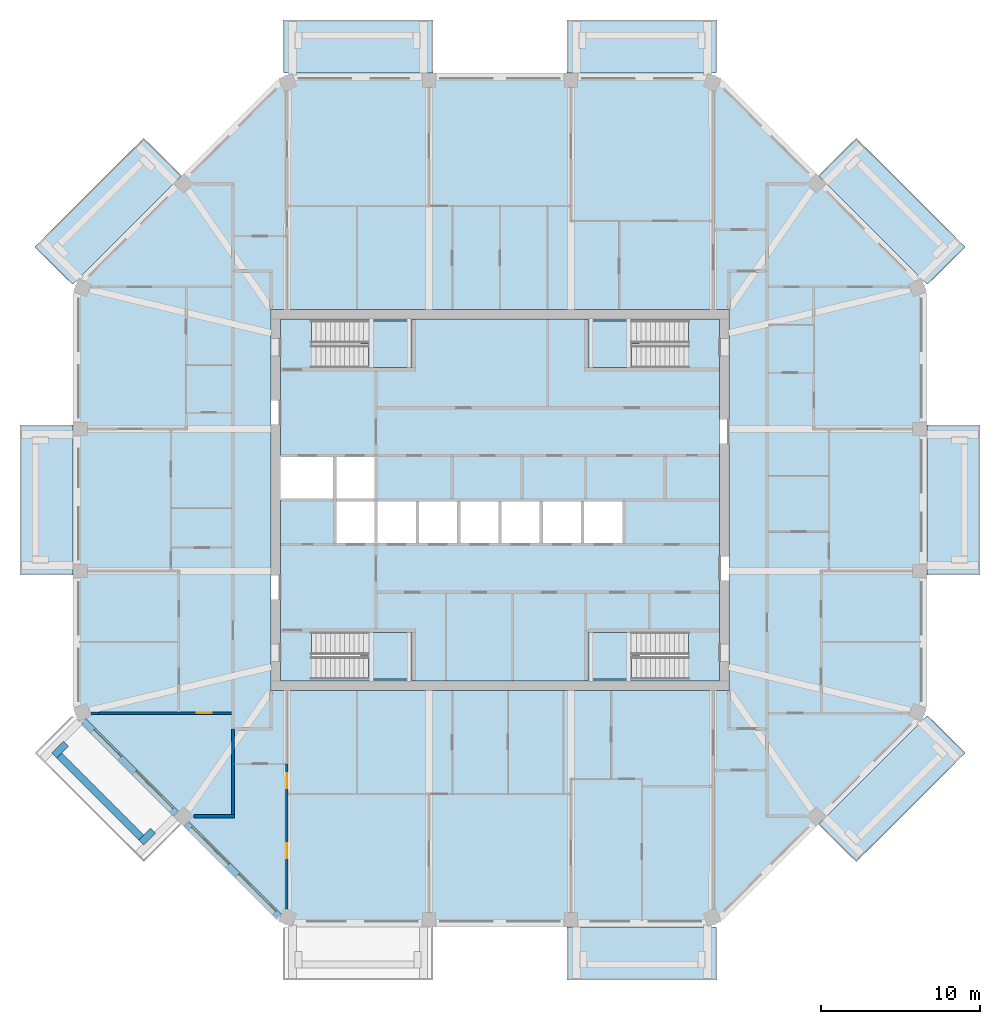
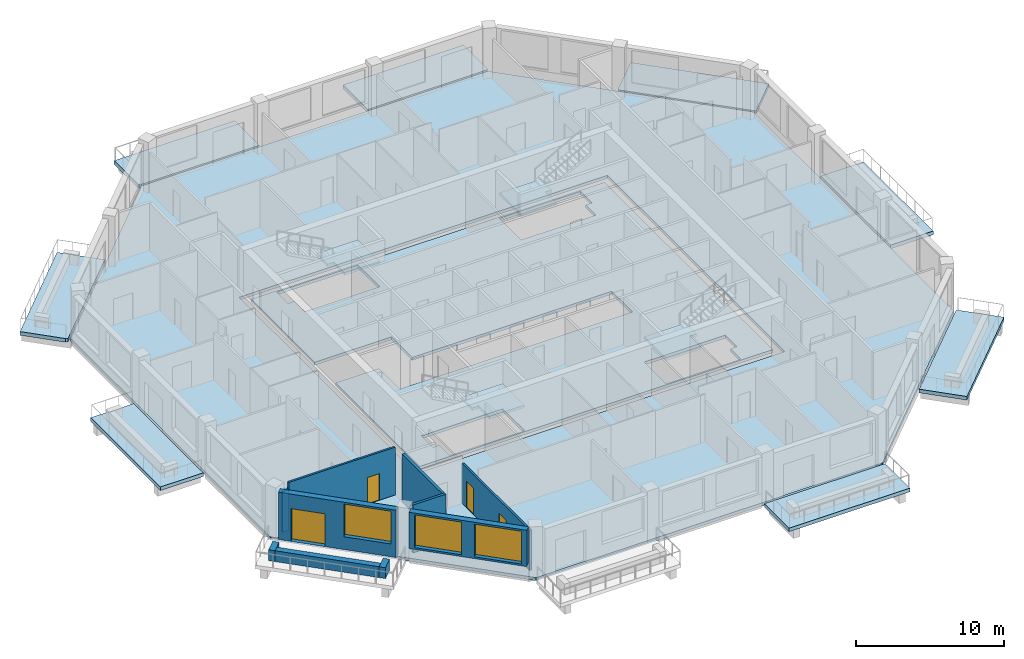
# One storey, part 2 of 12: 14 slabs, 10 walls, 4 doors, 3 windows, 7 openings, 4 elements without a shape of their own.
"""IFC4 building model written with IfcOpenShell, lengths in metres."""

from ifc_helpers import new_model, si_unit, direction, frame, frame_2d, origin, place, context, subcontext, project, spatial, polyline, rectangle, outline, extrude, material, layer, layer_set, type_object, element, fill, aggregate, save


model = new_model("IFC4")

# Units and contexts
model_context = context("Model", 3, precision=1e-05, world=origin(), true_north=direction((0.0, 1.0)))
body_context = subcontext(model_context, "Body", "Model", "MODEL_VIEW")
ifc_project = project(units=[si_unit("LENGTHUNIT", "METRE"), si_unit("AREAUNIT", "SQUARE_METRE"), si_unit("VOLUMEUNIT", "CUBIC_METRE"), si_unit("PLANEANGLEUNIT", "RADIAN"), si_unit("MASSUNIT", "GRAM", prefix="KILO")], contexts=[model_context])

# Site, building, storey
site_placement = place(None, origin())
site = spatial("IfcSite", under=ifc_project, at=site_placement, CompositionType="ELEMENT")
building_placement = place(site_placement, origin())
building = spatial("IfcBuilding", under=site, at=building_placement, Name="Msitu Wima Residences", CompositionType="ELEMENT")
storey_placement = place(building_placement, frame((0.0, 0.0, 222.300048828125)))
storey = spatial("IfcBuildingStorey", under=building, at=storey_placement, Name="L51", CompositionType="ELEMENT", Elevation=222.300048828125)

# Slabs
ifc_material_1 = material(Name="Concrete C40/50", Category="concrete")
ifc_layer_1 = layer(ifc_material_1, 0.300048828125)
ifc_layer_set_1 = layer_set([ifc_layer_1], Name="Concrete C40/50")
slab_type_1 = type_object("IfcSlabType", Name="Balcony slab BS300", PredefinedType="FLOOR", material=ifc_layer_set_1)
slab_1_placement = place(storey_placement, frame((0.0, 0.0, -0.300048828125)))
element("IfcSlab", 1, at=slab_1_placement, inside=storey, type_object=slab_type_1, Name="Balcony E1 L51", PredefinedType="FLOOR", context=body_context, shape_type="SweptSolid", body=[
    extrude(outline(polyline([(26.85009765625, -4.0185546875), (26.85009765625, 4.0185546875), (26.85009765625, 4.71875), (30.199951171875, 4.71875), (30.199951171875, -4.71875), (26.85009765625, -4.71875), (26.85009765625, -4.0185546875)])), origin(), (0.0, 0.0, 1.0), 0.300048828125),
])
slab_2_placement = place(storey_placement, frame((0.0, 0.0, -0.300048828125)))
element("IfcSlab", 2, at=slab_2_placement, inside=storey, type_object=slab_type_1, Name="Balcony NE0 L51", PredefinedType="FLOOR", context=body_context, shape_type="SweptSolid", body=[
    extrude(outline(polyline([(26.505615234375, 13.936767578125), (26.505615234375, 13.936767578125), (20.04443359375, 20.39794921875), (22.4130859375, 22.766845703125), (29.263671875, 15.916015625), (27.003662109375, 13.656005859375), (26.85009765625, 13.59228515625), (26.505615234375, 13.936767578125), (26.505615234375, 13.936767578125)])), origin(), (0.0, 0.0, 1.0), 0.300048828125),
])
slab_3_placement = place(storey_placement, frame((0.0, 0.0, -0.300048828125)))
element("IfcSlab", 3, at=slab_3_placement, inside=storey, type_object=slab_type_1, Name="Balcony N0 L51", PredefinedType="FLOOR", context=body_context, shape_type="SweptSolid", body=[
    extrude(outline(polyline([(13.105224609375, 26.85009765625), (13.105224609375, 26.85009765625), (4.918701171875, 26.85009765625), (4.21875, 26.85009765625), (4.21875, 30.199951171875), (13.656005859375, 30.199951171875), (13.656005859375, 27.003662109375), (13.59228515625, 26.85009765625), (13.105224609375, 26.85009765625), (13.105224609375, 26.85009765625)])), origin(), (0.0, 0.0, 1.0), 0.300048828125),
])
slab_4_placement = place(storey_placement, frame((0.0, 0.0, -0.300048828125)))
element("IfcSlab", 4, at=slab_4_placement, inside=storey, type_object=slab_type_1, Name="Balcony N2 L51", PredefinedType="FLOOR", context=body_context, shape_type="SweptSolid", body=[
    extrude(outline(polyline([(-13.105224609375, 26.85009765625), (-13.105224609375, 26.85009765625), (-13.105224609375, 26.85009765625), (-13.59228515625, 26.85009765625), (-13.656005859375, 27.003662109375), (-13.656005859375, 30.199951171875), (-4.21875, 30.199951171875), (-4.21875, 26.85009765625), (-4.918701171875, 26.85009765625), (-13.105224609375, 26.85009765625)])), origin(), (0.0, 0.0, 1.0), 0.300048828125),
])
slab_5_placement = place(storey_placement, frame((0.0, 0.0, -0.300048828125)))
element("IfcSlab", 5, at=slab_5_placement, inside=storey, type_object=slab_type_1, Name="Balcony NW1 L51", PredefinedType="FLOOR", context=body_context, shape_type="SweptSolid", body=[
    extrude(outline(polyline([(-26.505615234375, 13.936767578125), (-26.505615234375, 13.936767578125), (-26.85009765625, 13.59228515625), (-27.003662109375, 13.656005859375), (-29.263671875, 15.916015625), (-22.4130859375, 22.766845703125), (-20.04443359375, 20.39794921875), (-26.505615234375, 13.936767578125), (-26.505615234375, 13.936767578125)])), origin(), (0.0, 0.0, 1.0), 0.300048828125),
])
slab_6_placement = place(storey_placement, frame((0.0, 0.0, -0.300048828125)))
element("IfcSlab", 6, at=slab_6_placement, inside=storey, type_object=slab_type_1, Name="Balcony W1 L51", PredefinedType="FLOOR", context=body_context, shape_type="SweptSolid", body=[
    extrude(outline(polyline([(-26.85009765625, 4.0185546875), (-26.85009765625, -4.0185546875), (-26.85009765625, -4.71875), (-30.199951171875, -4.71875), (-30.199951171875, 4.71875), (-26.85009765625, 4.71875), (-26.85009765625, 4.0185546875)])), origin(), (0.0, 0.0, 1.0), 0.300048828125),
])
slab_7_placement = place(storey_placement, frame((0.0, 0.0, -0.300048828125)))
element("IfcSlab", 7, at=slab_7_placement, inside=storey, type_object=slab_type_1, Name="Balcony S2 L51", PredefinedType="FLOOR", context=body_context, shape_type="SweptSolid", body=[
    extrude(outline(polyline([(13.105224609375, -26.85009765625), (13.105224609375, -26.85009765625), (13.105224609375, -26.85009765625), (13.59228515625, -26.85009765625), (13.656005859375, -27.003662109375), (13.656005859375, -30.199951171875), (4.21875, -30.199951171875), (4.21875, -26.85009765625), (4.918701171875, -26.85009765625), (13.105224609375, -26.85009765625)])), origin(), (0.0, 0.0, 1.0), 0.300048828125),
])
slab_8_placement = place(storey_placement, frame((0.0, 0.0, -0.300048828125)))
element("IfcSlab", 8, at=slab_8_placement, inside=storey, type_object=slab_type_1, Name="Balcony SE1 L51", PredefinedType="FLOOR", context=body_context, shape_type="SweptSolid", body=[
    extrude(outline(polyline([(26.505615234375, -13.936767578125), (26.505615234375, -13.936767578125), (26.85009765625, -13.59228515625), (27.003662109375, -13.656005859375), (29.263671875, -15.916015625), (22.4130859375, -22.766845703125), (20.04443359375, -20.39794921875), (26.505615234375, -13.936767578125), (26.505615234375, -13.936767578125)])), origin(), (0.0, 0.0, 1.0), 0.300048828125),
])
ifc_layer_2 = layer(ifc_material_1, 0.25)
ifc_layer_set_2 = layer_set([ifc_layer_2], Name="Concrete C40/50")
slab_type_2 = type_object("IfcSlabType", Name="Core floor CF250", PredefinedType="FLOOR", material=ifc_layer_set_2)
slab_9_placement = place(storey_placement, frame((0.0, 0.0, -0.25)))
element("IfcSlab", 9, at=slab_9_placement, inside=storey, type_object=slab_type_2, Name="Core floor", PredefinedType="FLOOR", context=body_context, shape_type="SweptSolid", body=[
    extrude(outline(polyline([(-13.800048828125, 11.39990234375), (-13.800048828125, 2.800048828125), (-10.39990234375, 2.800048828125), (-7.800048828125, 2.800048828125), (-7.800048828125, 0.0), (-5.199951171875, 0.0), (-2.60009765625, 0.0), (0.0, 0.0), (2.60009765625, 0.0), (5.199951171875, 0.0), (7.800048828125, 0.0), (7.800048828125, -2.800048828125), (5.199951171875, -2.800048828125), (2.60009765625, -2.800048828125), (0.0, -2.800048828125), (-2.60009765625, -2.800048828125), (-5.199951171875, -2.800048828125), (-7.800048828125, -2.800048828125), (-10.39990234375, -2.800048828125), (-10.39990234375, 0.0), (-13.800048828125, 0.0), (-13.800048828125, -11.39990234375), (13.800048828125, -11.39990234375), (13.800048828125, 11.39990234375), (-13.800048828125, 11.39990234375)]), holes=[polyline([(-11.375, -11.27490234375), (-11.375, -9.875), (-11.87451171875, -9.875), (-11.87451171875, -8.324951171875), (-5.52490234375, -8.324951171875), (-5.52490234375, -11.27490234375), (-11.375, -11.27490234375)]), polyline([(-11.375, 8.324951171875), (-11.375, 9.72509765625), (-11.87451171875, 9.72509765625), (-11.87451171875, 11.27490234375), (-5.52490234375, 11.27490234375), (-5.52490234375, 8.324951171875), (-11.375, 8.324951171875)]), polyline([(11.375, -9.875), (11.375, -11.27490234375), (5.52490234375, -11.27490234375), (5.52490234375, -8.324951171875), (11.87451171875, -8.324951171875), (11.87451171875, -9.875), (11.375, -9.875)]), polyline([(11.375, 9.72509765625), (11.375, 8.324951171875), (5.52490234375, 8.324951171875), (5.52490234375, 11.27490234375), (11.87451171875, 11.27490234375), (11.87451171875, 9.72509765625), (11.375, 9.72509765625)])]), origin(), (0.0, 0.0, 1.0), 0.25),
])
ifc_layer_3 = layer(ifc_material_1, 0.25)
ifc_layer_set_3 = layer_set([ifc_layer_3], Name="Concrete C40/50")
slab_type_3 = type_object("IfcSlabType", Name="PT flat slab 250 Concrete C40/50", PredefinedType="FLOOR", material=ifc_layer_set_3)
slab_10_placement = place(storey_placement, frame((0.0, 0.0, -0.25)))
element("IfcSlab", 10, at=slab_10_placement, inside=storey, type_object=slab_type_3, Name="Floor slab L51", PredefinedType="FLOOR", context=body_context, shape_type="SweptSolid", body=[
    extrude(outline(polyline([(26.699951171875, -13.5302734375), (13.5302734375, -26.699951171875), (-13.5302734375, -26.699951171875), (-26.699951171875, -13.5302734375), (-26.699951171875, 13.5302734375), (-13.5302734375, 26.699951171875), (13.5302734375, 26.699951171875), (26.699951171875, 13.5302734375), (26.699951171875, -13.5302734375)]), holes=[polyline([(-14.39990234375, -12.0), (14.39990234375, -12.0), (14.39990234375, 12.0), (-14.39990234375, 12.0), (-14.39990234375, -12.0)])]), origin(), (0.0, 0.0, 1.0), 0.25),
])

# Stair, slab
stair_type = type_object("IfcStairType", Name="Exit stair ES1615-140", PredefinedType="HALF_TURN_STAIR", material=ifc_material_1)
stair_1_placement = place(storey_placement, origin())
stair_1 = element("IfcStair", 11, at=stair_1_placement, inside=storey, type_object=stair_type, Name="Exit stair 1", PredefinedType="HALF_TURN_STAIR")
ifc_layer_4 = layer(ifc_material_1, 0.199951171875)
ifc_layer_set_4 = layer_set([ifc_layer_4], Name="Concrete C40/50")
slab_type_4 = type_object("IfcSlabType", Name="Stair landing SL200", PredefinedType="LANDING", material=ifc_layer_set_4)
slab_11_placement = place(storey_placement, frame((0.0, 0.0, 1.89990234375)))
slab_11 = element("IfcSlab", 12, at=slab_11_placement, type_object=slab_type_4, Name="S1 landing 1", PredefinedType="LANDING", context=body_context, shape_type="SweptSolid", body=[
    extrude(outline(polyline([(-5.52490234375, 8.324951171875), (-8.275390625, 8.324951171875), (-8.275390625, 9.800048828125), (-8.77490234375, 9.800048828125), (-8.77490234375, 11.27490234375), (-5.52490234375, 11.27490234375), (-5.52490234375, 8.324951171875)])), origin(), (0.0, 0.0, 1.0), 0.199951171875),
])
aggregate(stair_1, [slab_11])

stair_2_placement = place(storey_placement, origin())
stair_2 = element("IfcStair", 13, at=stair_2_placement, inside=storey, type_object=stair_type, Name="Exit stair 2", PredefinedType="HALF_TURN_STAIR")
slab_12_placement = place(storey_placement, frame((0.0, 0.0, 1.89990234375)))
slab_12 = element("IfcSlab", 14, at=slab_12_placement, type_object=slab_type_4, Name="S2 landing 1", PredefinedType="LANDING", context=body_context, shape_type="SweptSolid", body=[
    extrude(outline(polyline([(-5.52490234375, -11.27490234375), (-8.275390625, -11.27490234375), (-8.275390625, -9.800048828125), (-8.77490234375, -9.800048828125), (-8.77490234375, -8.324951171875), (-5.52490234375, -8.324951171875), (-5.52490234375, -11.27490234375)])), origin(), (0.0, 0.0, 1.0), 0.199951171875),
])
aggregate(stair_2, [slab_12])

stair_3_placement = place(storey_placement, origin())
stair_3 = element("IfcStair", 15, at=stair_3_placement, inside=storey, type_object=stair_type, Name="Exit stair 3", PredefinedType="HALF_TURN_STAIR")
slab_13_placement = place(storey_placement, frame((0.0, 0.0, 1.89990234375)))
slab_13 = element("IfcSlab", 16, at=slab_13_placement, type_object=slab_type_4, Name="S3 landing 1", PredefinedType="LANDING", context=body_context, shape_type="SweptSolid", body=[
    extrude(outline(polyline([(5.52490234375, 8.324951171875), (8.275390625, 8.324951171875), (8.275390625, 9.800048828125), (8.77490234375, 9.800048828125), (8.77490234375, 11.27490234375), (5.52490234375, 11.27490234375), (5.52490234375, 8.324951171875)])), origin(), (0.0, 0.0, 1.0), 0.199951171875),
])
aggregate(stair_3, [slab_13])

stair_4_placement = place(storey_placement, origin())
stair_4 = element("IfcStair", 17, at=stair_4_placement, inside=storey, type_object=stair_type, Name="Exit stair 4", PredefinedType="HALF_TURN_STAIR")
slab_14_placement = place(storey_placement, frame((0.0, 0.0, 1.89990234375)))
slab_14 = element("IfcSlab", 18, at=slab_14_placement, type_object=slab_type_4, Name="S4 landing 1", PredefinedType="LANDING", context=body_context, shape_type="SweptSolid", body=[
    extrude(outline(polyline([(5.52490234375, -11.27490234375), (8.275390625, -11.27490234375), (8.275390625, -9.800048828125), (8.77490234375, -9.800048828125), (8.77490234375, -8.324951171875), (5.52490234375, -8.324951171875), (5.52490234375, -11.27490234375)])), origin(), (0.0, 0.0, 1.0), 0.199951171875),
])
aggregate(stair_4, [slab_14])

# Walls
ifc_material_2 = material(Name="Facing brick")
ifc_layer_5 = layer(ifc_material_2, 0.06494140625, Name="Facing brick")
ifc_layer_6 = layer(ifc_material_1, 0.156005859375, Name="Concrete C40/50")
ifc_material_3 = material(Name="Waterproofing membrane")
ifc_layer_7 = layer(ifc_material_3, 0.00390625, Name="Waterproofing membrane")
ifc_material_4 = material(Name="Planting soil and planting")
ifc_layer_8 = layer(ifc_material_4, 0.22509765625, Name="Planting soil and planting")
ifc_layer_set_5 = layer_set([ifc_layer_5, ifc_layer_6, ifc_layer_7, ifc_layer_8], Name="Concrete C40/50")
wall_type_1 = type_object("IfcWallType", Name="Balcony planter PLANTER PL450", PredefinedType="USERDEFINED", material=ifc_layer_set_5)
wall_1_placement = place(storey_placement, frame((-27.725830078125, -16.0751953125, 0.0), z_axis=(0.0, 0.0, 1.0), x_axis=(0.707106781187, -0.707106781187, 0.0)))
element("IfcWall", 19, at=wall_1_placement, inside=storey, type_object=wall_type_1, Name="Balcony planter SW0 L51", ObjectType="PLANTER", PredefinedType="USERDEFINED", context=body_context, shape_type="SweptSolid", body=[
    extrude(rectangle(XDim=7.288330078125, YDim=0.449951171875, at=frame_2d((3.64404296875, 0.0))), origin(), (0.0, 0.0, 1.0), 0.89990234375),
])
for number, where, z_axis, x_axis, name in (
    (20, (-27.301513671875, -15.332763671875, 0.0), (0.0, 0.0, 1.0), (-0.707106781187, -0.707106781187, 0.0), "Balcony planter SW0 L51"),
    (21, (-21.829833984375, -20.804443359375, 0.0), (0.0, 0.0, 1.0), (-0.707106781187, -0.707106781187, 0.0), "Balcony planter SW0 L51"),
):
    element("IfcWall", number, at=place(storey_placement, frame(where, z_axis=z_axis, x_axis=x_axis)), inside=storey, type_object=wall_type_1, Name=name, ObjectType="PLANTER", PredefinedType="USERDEFINED", context=body_context, shape_type="SweptSolid", body=[
        extrude(rectangle(XDim=1.050048828125, YDim=0.449951171875, at=frame_2d((0.52490234375, 0.0))), origin(), (0.0, 0.0, 1.0), 0.89990234375),
    ])

# Wall, openings, door, window
ifc_material_5 = material(Name="Brick (red buff mix)", Category="masonry")
ifc_layer_9 = layer(ifc_material_5, 0.449951171875)
ifc_layer_set_6 = layer_set([ifc_layer_9], Name="Brick (red buff mix)")
wall_type_2 = type_object("IfcWallType", Name="Brick infill wall BW450", PredefinedType="SOLIDWALL", material=ifc_layer_set_6)
wall_2_placement = place(storey_placement, frame((-26.214599609375, -13.909423828125, 0.0), z_axis=(0.0, 0.0, 1.0), x_axis=(0.707106781187, -0.707106781187, 0.0)))
wall_2 = element("IfcWall", 22, at=wall_2_placement, inside=storey, type_object=wall_type_2, Name="Brick infill wall L51 SW0", PredefinedType="SOLIDWALL", context=body_context, shape_type="SweptSolid", body=[
    extrude(rectangle(XDim=8.251220703125, YDim=0.449951171875, at=frame_2d((4.12548828125, 0.0))), origin(), (0.0, 0.0, 1.0), 3.89990234375),
])
opening_1_placement = place(wall_2_placement, frame((0.86279296875, 0.0, 0.0)))
opening_1 = element("IfcOpeningElement", 23, at=opening_1_placement, cuts=wall_2, Name="Opening D50-51.009", PredefinedType="OPENING", context=body_context, shape_type="SweptSolid", body=[
    extrude(rectangle(XDim=2.39990234375, YDim=2.699951171875, at=frame_2d((1.199951171875, 1.35009765625))), frame((0.0, 0.23486328125, 0.0), z_axis=(0.0, -1.0, 0.0), x_axis=(1.0, 0.0, 0.0)), (0.0, 0.0, 1.0), 0.469970703125),
])
opening_2_placement = place(wall_2_placement, frame((4.57568359375, 0.0, 1.050048828125)))
opening_2 = element("IfcOpeningElement", 24, at=opening_2_placement, cuts=wall_2, Name="Opening W50-51.023", PredefinedType="OPENING", context=body_context, shape_type="SweptSolid", body=[
    extrude(rectangle(XDim=3.300048828125, YDim=2.699951171875, at=frame_2d((1.64990234375, 1.35009765625))), frame((0.0, 0.23486328125, 0.0), z_axis=(0.0, -1.0, 0.0), x_axis=(1.0, 0.0, 0.0)), (0.0, 0.0, 1.0), 0.469970703125),
])
ifc_material_6 = material(Name="Anodised aluminium, bronze finish, clear low-emissivity double glazing", Category="aluminium")
door_type_1 = type_object("IfcDoorType", Name="Balcony door D2400x2700", OperationType="SLIDING_TO_LEFT", PredefinedType="DOOR", material=ifc_material_6)
door_1_placement = place(opening_1_placement, origin())
door_1 = element("IfcDoor", 25, at=door_1_placement, inside=storey, type_object=door_type_1, Name="Balcony door L51 SW0", OperationType="SINGLE_SWING_LEFT", OverallHeight=2.699951171875, OverallWidth=2.39990234375, PredefinedType="DOOR", context=body_context, shape_type="SweptSolid", body=[
    extrude(rectangle(XDim=2.39990234375, YDim=2.699951171875, at=frame_2d((1.199951171875, 1.35009765625))), frame((0.0, 0.1298828125, 0.0), z_axis=(0.0, -1.0, 0.0), x_axis=(1.0, 0.0, 0.0)), (0.0, 0.0, 1.0), 0.050048828125),
])
fill(opening_1, door_1)
window_type = type_object("IfcWindowType", Name="Window W3300x2700", PartitioningType="DOUBLE_PANEL_VERTICAL", PredefinedType="WINDOW", material=ifc_material_6)
window_1_placement = place(opening_2_placement, origin())
window_1 = element("IfcWindow", 26, at=window_1_placement, inside=storey, type_object=window_type, Name="Window L51 SW0.2", OverallHeight=2.699951171875, OverallWidth=3.300048828125, PartitioningType="SINGLE_PANEL", PredefinedType="WINDOW", context=body_context, shape_type="SweptSolid", body=[
    extrude(rectangle(XDim=3.300048828125, YDim=2.699951171875, at=frame_2d((1.64990234375, 1.35009765625))), frame((0.0, 0.135009765625, 0.0), z_axis=(0.0, -1.0, 0.0), x_axis=(1.0, 0.0, 0.0)), (0.0, 0.0, 1.0), 0.06005859375),
])
fill(opening_2, window_1)

# Wall, openings, windows
wall_3_placement = place(storey_placement, frame((-19.743896484375, -20.380126953125, 0.89990234375), z_axis=(0.0, 0.0, 1.0), x_axis=(0.707106781187, -0.707106781187, 0.0)))
wall_3 = element("IfcWall", 27, at=wall_3_placement, inside=storey, type_object=wall_type_2, Name="Brick infill wall L51 SW1", PredefinedType="SOLIDWALL", context=body_context, shape_type="SweptSolid", body=[
    extrude(rectangle(XDim=8.251220703125, YDim=0.449951171875, at=frame_2d((4.12548828125, 0.0))), origin(), (0.0, 0.0, 1.0), 3.0),
])
opening_3_placement = place(wall_3_placement, frame((0.37548828125, 0.0, 0.14990234375)))
opening_3 = element("IfcOpeningElement", 28, at=opening_3_placement, cuts=wall_3, Name="Opening W50-51.024", PredefinedType="OPENING", context=body_context, shape_type="SweptSolid", body=[
    extrude(rectangle(XDim=3.300048828125, YDim=2.699951171875, at=frame_2d((1.64990234375, 1.35009765625))), frame((0.0, 0.23486328125, 0.0), z_axis=(0.0, -1.0, 0.0), x_axis=(1.0, 0.0, 0.0)), (0.0, 0.0, 1.0), 0.469970703125),
])
opening_4_placement = place(wall_3_placement, frame((4.57568359375, 0.0, 0.14990234375)))
opening_4 = element("IfcOpeningElement", 29, at=opening_4_placement, cuts=wall_3, Name="Opening W50-51.025", PredefinedType="OPENING", context=body_context, shape_type="SweptSolid", body=[
    extrude(rectangle(XDim=3.300048828125, YDim=2.699951171875, at=frame_2d((1.64990234375, 1.35009765625))), frame((0.0, 0.23486328125, 0.0), z_axis=(0.0, -1.0, 0.0), x_axis=(1.0, 0.0, 0.0)), (0.0, 0.0, 1.0), 0.469970703125),
])
window_2_placement = place(opening_3_placement, origin())
window_2 = element("IfcWindow", 30, at=window_2_placement, inside=storey, type_object=window_type, Name="Window L51 SW1.1", OverallHeight=2.699951171875, OverallWidth=3.300048828125, PartitioningType="SINGLE_PANEL", PredefinedType="WINDOW", context=body_context, shape_type="SweptSolid", body=[
    extrude(rectangle(XDim=3.300048828125, YDim=2.699951171875, at=frame_2d((1.64990234375, 1.35009765625))), frame((0.0, 0.135009765625, 0.0), z_axis=(0.0, -1.0, 0.0), x_axis=(1.0, 0.0, 0.0)), (0.0, 0.0, 1.0), 0.06005859375),
])
fill(opening_3, window_2)
window_3_placement = place(opening_4_placement, origin())
window_3 = element("IfcWindow", 31, at=window_3_placement, inside=storey, type_object=window_type, Name="Window L51 SW1.2", OverallHeight=2.699951171875, OverallWidth=3.300048828125, PartitioningType="SINGLE_PANEL", PredefinedType="WINDOW", context=body_context, shape_type="SweptSolid", body=[
    extrude(rectangle(XDim=3.300048828125, YDim=2.699951171875, at=frame_2d((1.64990234375, 1.35009765625))), frame((0.0, 0.135009765625, 0.0), z_axis=(0.0, -1.0, 0.0), x_axis=(1.0, 0.0, 0.0)), (0.0, 0.0, 1.0), 0.06005859375),
])
fill(opening_4, window_3)

# Wall
ifc_material_7 = material(Name="Plaster")
ifc_layer_10 = layer(ifc_material_7, 0.011962890625, Name="Plaster")
ifc_material_8 = material(Name="Concrete blockwork", Category="masonry")
ifc_layer_11 = layer(ifc_material_8, 0.1259765625, Name="Concrete blockwork")
ifc_layer_12 = layer(ifc_material_7, 0.011962890625, Name="Plaster")
ifc_layer_set_7 = layer_set([ifc_layer_10, ifc_layer_11, ifc_layer_12], Name="Concrete blockwork")
wall_type_3 = type_object("IfcWallType", Name="Partition PW150", PredefinedType="PARTITIONING", material=ifc_layer_set_7)
wall_4_placement = place(storey_placement, frame((-25.731201171875, -13.406005859375, 0.0), z_axis=(0.0, 0.0, 1.0), x_axis=(1.0, 0.0, 0.0)))
element("IfcWall", 32, at=wall_4_placement, inside=storey, type_object=wall_type_3, Name="Partition", PredefinedType="PARTITIONING", context=body_context, shape_type="SweptSolid", body=[
    extrude(rectangle(XDim=0.507080078125, YDim=0.14990234375, at=frame_2d((0.25341796875, 0.0))), origin(), (0.0, 0.0, 1.0), 3.349853515625),
])

# Wall, opening, door
wall_5_placement = place(storey_placement, frame((-25.22412109375, -13.406005859375, 0.0), z_axis=(0.0, 0.0, 1.0), x_axis=(1.0, 0.0, 0.0)))
wall_5 = element("IfcWall", 33, at=wall_5_placement, inside=storey, type_object=wall_type_3, Name="Partition", PredefinedType="PARTITIONING", context=body_context, shape_type="SweptSolid", body=[
    extrude(rectangle(XDim=8.32421875, YDim=0.14990234375, at=frame_2d((4.162109375, 0.0))), origin(), (0.0, 0.0, 1.0), 3.949951171875),
])
opening_5_placement = place(wall_5_placement, frame((6.142822265625, 0.0, 0.0)))
opening_5 = element("IfcOpeningElement", 34, at=opening_5_placement, cuts=wall_5, Name="Opening D50-51.036", PredefinedType="OPENING", context=body_context, shape_type="SweptSolid", body=[
    extrude(rectangle(XDim=0.949951171875, YDim=2.199951171875, at=frame_2d((0.47509765625, 1.10009765625))), frame((0.0, 0.0849609375, 0.0), z_axis=(0.0, -1.0, 0.0), x_axis=(1.0, 0.0, 0.0)), (0.0, 0.0, 1.0), 0.169921875),
])
ifc_material_9 = material(Name="Timber flush door", Category="wood")
door_type_2 = type_object("IfcDoorType", Name="Room door D12 950x2200", OperationType="SINGLE_SWING_LEFT", PredefinedType="DOOR", material=ifc_material_9)
door_2_placement = place(opening_5_placement, origin())
door_2 = element("IfcDoor", 35, at=door_2_placement, inside=storey, type_object=door_type_2, Name="Room door", OperationType="SINGLE_SWING_LEFT", OverallHeight=2.199951171875, OverallWidth=0.949951171875, PredefinedType="DOOR", context=body_context, shape_type="SweptSolid", body=[
    extrude(rectangle(XDim=0.949951171875, YDim=2.199951171875, at=frame_2d((0.47509765625, 1.10009765625))), frame((0.0, 0.02490234375, 0.0), z_axis=(0.0, -1.0, 0.0), x_axis=(1.0, 0.0, 0.0)), (0.0, 0.0, 1.0), 0.050048828125),
])
fill(opening_5, door_2)

# Wall, openings, doors
wall_6_placement = place(storey_placement, frame((-13.406005859375, -25.731201171875, 0.0), z_axis=(0.0, 0.0, 1.0), x_axis=(0.0, 1.0, 0.0)))
wall_6 = element("IfcWall", 36, at=wall_6_placement, inside=storey, type_object=wall_type_3, Name="Partition", PredefinedType="PARTITIONING", context=body_context, shape_type="SweptSolid", body=[
    extrude(rectangle(XDim=9.131103515625, YDim=0.14990234375, at=frame_2d((4.5654296875, 0.0))), origin(), (0.0, 0.0, 1.0), 3.300048828125),
])
opening_6_placement = place(wall_6_placement, frame((3.199951171875, 0.0, 0.0)))
opening_6 = element("IfcOpeningElement", 37, at=opening_6_placement, cuts=wall_6, Name="Opening D50-51.049", PredefinedType="OPENING", context=body_context, shape_type="SweptSolid", body=[
    extrude(rectangle(XDim=0.949951171875, YDim=2.199951171875, at=frame_2d((0.47509765625, 1.10009765625))), frame((0.0, 0.0849609375, 0.0), z_axis=(0.0, -1.0, 0.0), x_axis=(1.0, 0.0, 0.0)), (0.0, 0.0, 1.0), 0.169921875),
])
opening_7_placement = place(wall_6_placement, frame((7.60009765625, 0.0, 0.0)))
opening_7 = element("IfcOpeningElement", 38, at=opening_7_placement, cuts=wall_6, Name="Opening D50-51.050", PredefinedType="OPENING", context=body_context, shape_type="SweptSolid", body=[
    extrude(rectangle(XDim=0.949951171875, YDim=2.199951171875, at=frame_2d((0.47509765625, 1.10009765625))), frame((0.0, 0.0849609375, 0.0), z_axis=(0.0, -1.0, 0.0), x_axis=(1.0, 0.0, 0.0)), (0.0, 0.0, 1.0), 0.169921875),
])
door_3_placement = place(opening_6_placement, origin())
door_3 = element("IfcDoor", 39, at=door_3_placement, inside=storey, type_object=door_type_2, Name="Room door", OperationType="SINGLE_SWING_RIGHT", OverallHeight=2.199951171875, OverallWidth=0.949951171875, PredefinedType="DOOR", context=body_context, shape_type="SweptSolid", body=[
    extrude(rectangle(XDim=0.949951171875, YDim=2.199951171875, at=frame_2d((0.47509765625, 1.10009765625))), frame((0.0, 0.02490234375, 0.0), z_axis=(0.0, -1.0, 0.0), x_axis=(1.0, 0.0, 0.0)), (0.0, 0.0, 1.0), 0.050048828125),
])
fill(opening_6, door_3)
door_4_placement = place(opening_7_placement, origin())
door_4 = element("IfcDoor", 40, at=door_4_placement, inside=storey, type_object=door_type_2, Name="Room door", OperationType="SINGLE_SWING_RIGHT", OverallHeight=2.199951171875, OverallWidth=0.949951171875, PredefinedType="DOOR", context=body_context, shape_type="SweptSolid", body=[
    extrude(rectangle(XDim=0.949951171875, YDim=2.199951171875, at=frame_2d((0.47509765625, 1.10009765625))), frame((0.0, 0.02490234375, 0.0), z_axis=(0.0, -1.0, 0.0), x_axis=(1.0, 0.0, 0.0)), (0.0, 0.0, 1.0), 0.050048828125),
])
fill(opening_7, door_4)

# Walls
ifc_layer_13 = layer(ifc_material_7, 0.011962890625, Name="Plaster")
ifc_material_10 = material(Name="Dense concrete blockwork", Category="masonry")
ifc_layer_14 = layer(ifc_material_10, 0.176025390625, Name="Dense concrete blockwork")
ifc_layer_15 = layer(ifc_material_7, 0.011962890625, Name="Plaster")
ifc_layer_set_8 = layer_set([ifc_layer_13, ifc_layer_14, ifc_layer_15], Name="Dense concrete blockwork")
wall_type_4 = type_object("IfcWallType", Name="Party wall PW200", PredefinedType="PARTITIONING", material=ifc_layer_set_8)
wall_7_placement = place(storey_placement, frame((-19.2666015625, -19.90283203125, 0.0), z_axis=(0.0, 0.0, 1.0), x_axis=(1.0, 0.0, 0.0)))
element("IfcWall", 41, at=wall_7_placement, inside=storey, type_object=wall_type_4, Name="Party wall", PredefinedType="PARTITIONING", context=body_context, shape_type="SweptSolid", body=[
    extrude(rectangle(XDim=2.566650390625, YDim=0.199951171875, at=frame_2d((1.283203125, 0.0))), origin(), (0.0, 0.0, 1.0), 3.949951171875),
])
wall_8_placement = place(storey_placement, frame((-16.800048828125, -19.802978515625, 0.0), z_axis=(0.0, 0.0, 1.0), x_axis=(0.0, 1.0, 0.0)))
element("IfcWall", 42, at=wall_8_placement, inside=storey, type_object=wall_type_4, Name="Party wall", PredefinedType="PARTITIONING", context=body_context, shape_type="SweptSolid", body=[
    extrude(rectangle(XDim=5.403076171875, YDim=0.199951171875, at=frame_2d((2.70166015625, 0.0))), origin(), (0.0, 0.0, 1.0), 3.949951171875),
])

save(model, "model.ifc")
